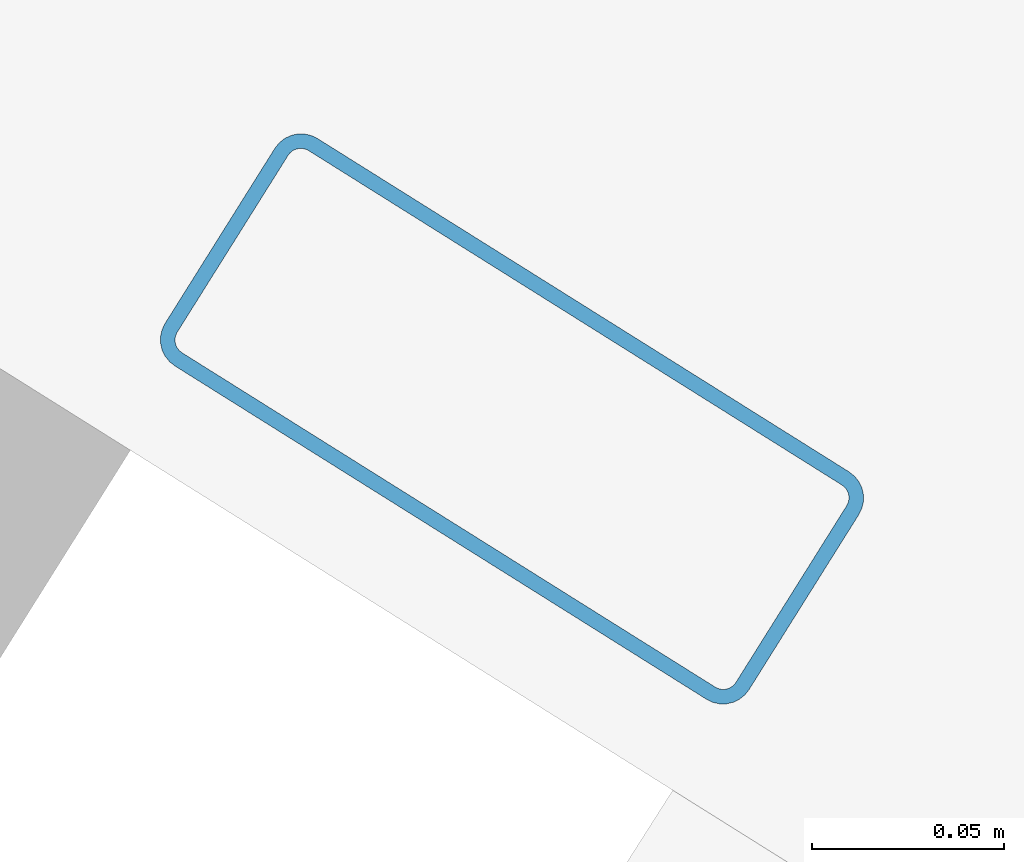
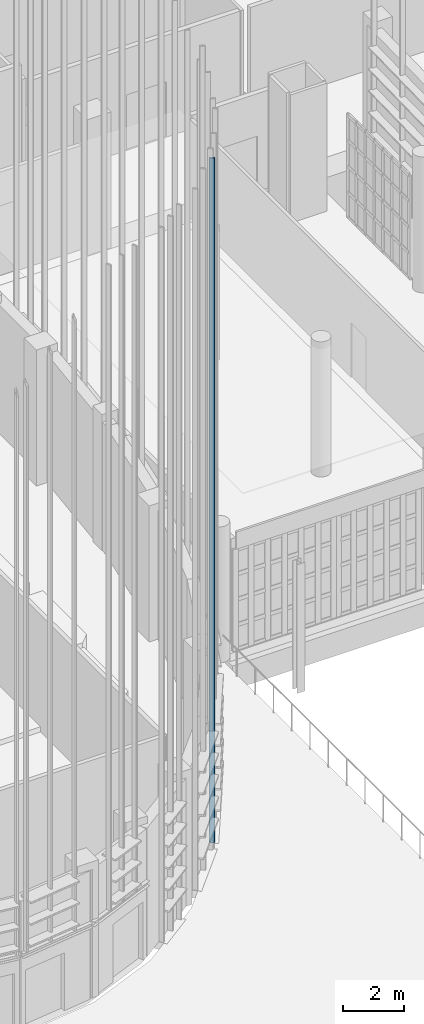
# One storey, part 59 of 372: 1 member.
"""IFC4 building model written with IfcOpenShell, lengths in metres."""

from ifc_helpers import new_model, si_unit, direction, frame, origin, origin_2d, place, context, subcontext, project, spatial, hollow_rectangle, extrude, material, material_profile, profile_set, type_object, element, save


model = new_model("IFC4")

# Units and contexts
model_context = context("Model", 3, precision=1e-05, world=origin(), true_north=direction((0.0, 1.0)))
body_context = subcontext(model_context, "Body", "Model", "MODEL_VIEW")
ifc_project = project(units=[si_unit("LENGTHUNIT", "METRE"), si_unit("AREAUNIT", "SQUARE_METRE"), si_unit("VOLUMEUNIT", "CUBIC_METRE"), si_unit("PLANEANGLEUNIT", "RADIAN"), si_unit("MASSUNIT", "GRAM", prefix="KILO")], contexts=[model_context])

# Site, building, storey
site_placement = place(None, origin())
site = spatial("IfcSite", under=ifc_project, at=site_placement, CompositionType="ELEMENT")
building_placement = place(site_placement, origin())
building = spatial("IfcBuilding", under=site, at=building_placement, Name="Kaelora Sail Theatre", CompositionType="ELEMENT")
storey_placement = place(building_placement, origin())
storey = spatial("IfcBuildingStorey", under=building, at=storey_placement, Name="L00", CompositionType="ELEMENT", Elevation=0.0)

# Member
ifc_material = material(Name="Anodised aluminium 6063-T6", Category="aluminium")
ifc_material_profile = material_profile(ifc_material, hollow_rectangle(XDim=0.070068359375, YDim=0.179931640625, WallThickness=0.00390625, InnerFilletRadius=0.00390625, OuterFilletRadius=0.008056640625, at=origin_2d()), Name="ALU-MULL 70x180x4")
ifc_profile_set = profile_set([ifc_material_profile], Name="Anodised aluminium 6063-T6")
member_type = type_object("IfcMemberType", Name="ARC-MEM-PST-160", PredefinedType="POST", material=ifc_profile_set)
member_placement = place(storey_placement, frame((52.732666015625, 29.735595703125, 0.0), z_axis=(0.0, 0.0, 1.0), x_axis=(-0.531250720758, -0.847214655028, 0.0)))
element("IfcMember", 1, at=member_placement, inside=storey, type_object=member_type, Name="Main Theatre Sail Drum solar louvre vertical support post C7-3", PredefinedType="POST", context=body_context, shape_type="SweptSolid", body=[
    extrude(hollow_rectangle(XDim=0.070068359375, YDim=0.179931640625, WallThickness=0.00390625, InnerFilletRadius=0.00390625, OuterFilletRadius=0.008056640625, at=origin_2d()), origin(), (0.0, 0.0, 1.0), 27.179443359375),
])

save(model, "model.ifc")
